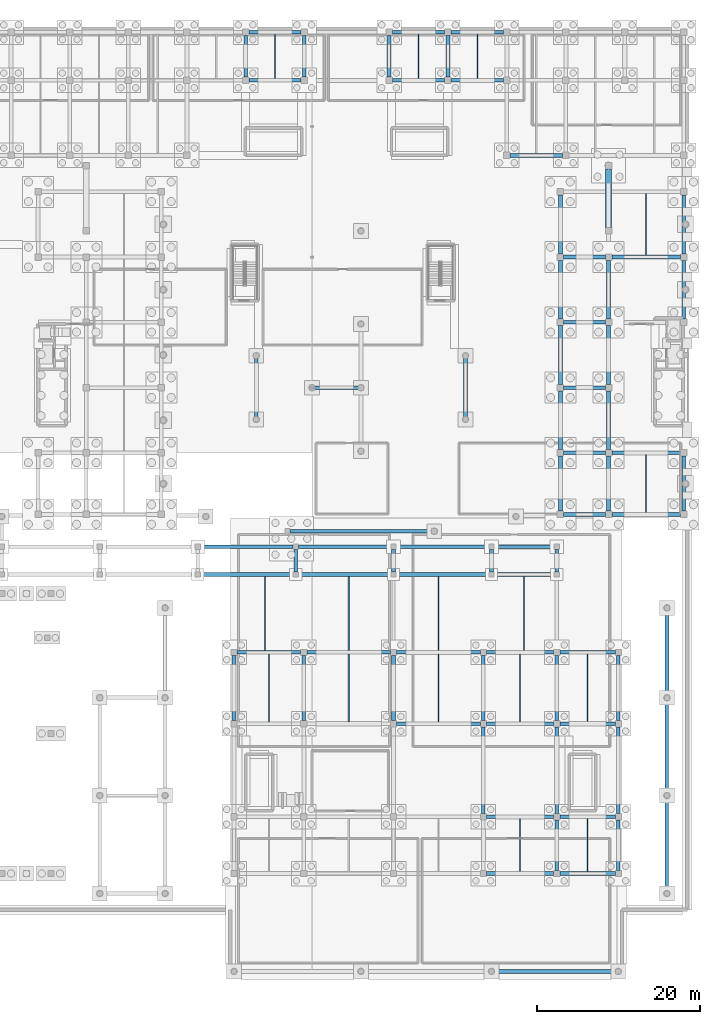
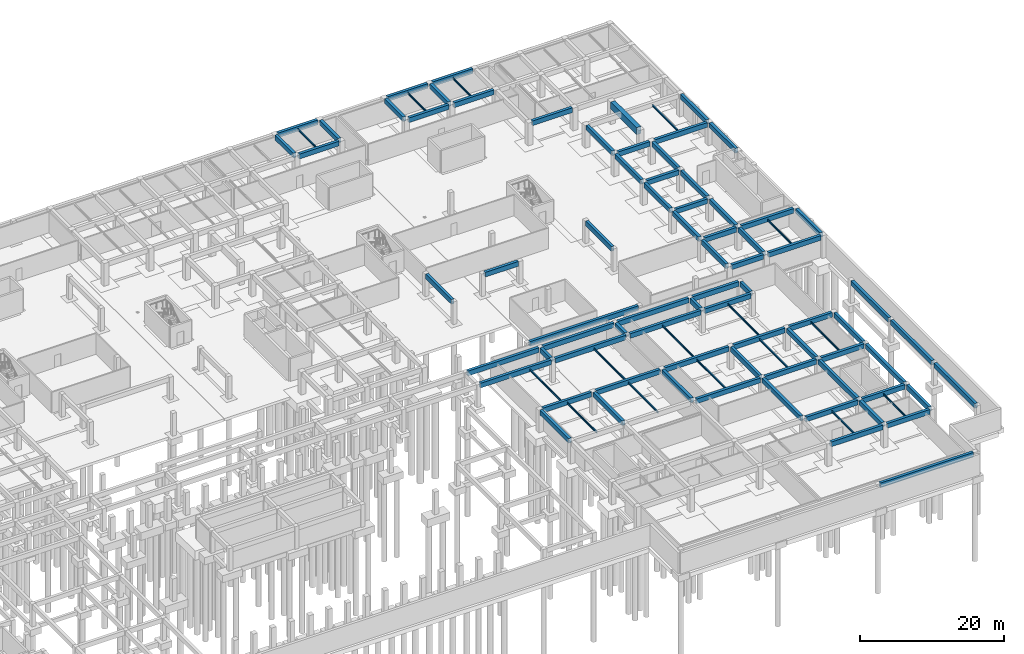
# One storey, part 17 of 35: 91 beams.
"""IFC4 building model written with IfcOpenShell, lengths in metres."""

from ifc_helpers import new_model, si_unit, direction, frame, origin, origin_2d, place, context, subcontext, project, spatial, rectangle, i_section, extrude, material, material_profile, profile_set, type_object, element, save


model = new_model("IFC4")

# Units and contexts
model_context = context("Model", 3, precision=1e-05, world=origin(), true_north=direction((0.0, 1.0)))
body_context = subcontext(model_context, "Body", "Model", "MODEL_VIEW")
ifc_project = project(units=[si_unit("LENGTHUNIT", "METRE"), si_unit("AREAUNIT", "SQUARE_METRE"), si_unit("VOLUMEUNIT", "CUBIC_METRE"), si_unit("PLANEANGLEUNIT", "RADIAN"), si_unit("MASSUNIT", "GRAM", prefix="KILO")], contexts=[model_context])

# Site, building, storey
site_placement = place(None, origin())
site = spatial("IfcSite", under=ifc_project, at=site_placement, CompositionType="ELEMENT")
building_placement = place(site_placement, origin())
building = spatial("IfcBuilding", under=site, at=building_placement, Name="Keldmere Railside Commons", CompositionType="ELEMENT")
storey_placement = place(building_placement, frame((0.0, 0.0, -3.840087890625)))
storey = spatial("IfcBuildingStorey", under=building, at=storey_placement, Name="B1", CompositionType="ELEMENT", Elevation=-3.840087890625)

# Beams
ifc_material_1 = material(Name="Concrete H-35 (C35/45)", Category="concrete")
ifc_material_profile_1 = material_profile(ifc_material_1, rectangle(XDim=0.449951171875, YDim=0.800048828125, at=origin_2d()), Name="RC-450x800")
ifc_profile_set_1 = profile_set([ifc_material_profile_1], Name="Concrete H-35 (C35/45)")
beam_type_1 = type_object("IfcBeamType", Name="Basement & Podium RC Girder 450x800", PredefinedType="BEAM", material=ifc_profile_set_1)
beam_1_placement = place(storey_placement, frame((160.324951171875, 0.449951171875, 3.440185546875), z_axis=(1.0, 0.0, 0.0), x_axis=(0.0, 1.0, 0.0)))
element("IfcBeam", 1, at=beam_1_placement, inside=storey, type_object=beam_type_1, Name="BG-1 BM-B1-0008", PredefinedType="BEAM", context=body_context, shape_type="SweptSolid", body=[
    extrude(rectangle(XDim=0.449951171875, YDim=0.800048828125, at=origin_2d()), origin(), (0.0, 0.0, 1.0), 14.900146484375),
])
beam_2_placement = place(storey_placement, frame((159.375, 12.449951171875, 3.440185546875), z_axis=(1.0, 0.0, 0.0), x_axis=(0.0, 1.0, 0.0)))
element("IfcBeam", 2, at=beam_2_placement, inside=storey, type_object=beam_type_1, Name="BG-1 BM-B1-0018", PredefinedType="BEAM", context=body_context, shape_type="SweptSolid", body=[
    extrude(rectangle(XDim=0.449951171875, YDim=0.800048828125, at=origin_2d()), origin(), (0.0, 0.0, 1.0), 8.25),
])
beam_3_placement = place(storey_placement, frame((168.375, 12.449951171875, 3.440185546875), z_axis=(1.0, 0.0, 0.0), x_axis=(0.0, 1.0, 0.0)))
element("IfcBeam", 3, at=beam_3_placement, inside=storey, type_object=beam_type_1, Name="BG-1 BM-B1-0019", PredefinedType="BEAM", context=body_context, shape_type="SweptSolid", body=[
    extrude(rectangle(XDim=0.449951171875, YDim=0.800048828125, at=origin_2d()), origin(), (0.0, 0.0, 1.0), 6.800048828125),
])
beam_4_placement = place(storey_placement, frame((159.375, 19.39990234375, 3.440185546875), z_axis=(1.0, 0.0, 0.0), x_axis=(0.0, 1.0, 0.0)))
element("IfcBeam", 4, at=beam_4_placement, inside=storey, type_object=beam_type_1, Name="BG-1 BM-B1-0027", PredefinedType="BEAM", context=body_context, shape_type="SweptSolid", body=[
    extrude(rectangle(XDim=0.449951171875, YDim=0.800048828125, at=origin_2d()), origin(), (0.0, 0.0, 1.0), 8.25),
])
beam_5_placement = place(storey_placement, frame((168.375, 19.39990234375, 3.440185546875), z_axis=(1.0, 0.0, 0.0), x_axis=(0.0, 1.0, 0.0)))
element("IfcBeam", 5, at=beam_5_placement, inside=storey, type_object=beam_type_1, Name="BG-1 BM-B1-0028", PredefinedType="BEAM", context=body_context, shape_type="SweptSolid", body=[
    extrude(rectangle(XDim=0.449951171875, YDim=0.800048828125, at=origin_2d()), origin(), (0.0, 0.0, 1.0), 6.800048828125),
])
beam_6_placement = place(storey_placement, frame((148.375, 30.800048828125, 3.440185546875), z_axis=(1.0, 0.0, 0.0), x_axis=(0.0, 1.0, 0.0)))
element("IfcBeam", 6, at=beam_6_placement, inside=storey, type_object=beam_type_1, Name="BG-1 BM-B1-0039", PredefinedType="BEAM", context=body_context, shape_type="SweptSolid", body=[
    extrude(rectangle(XDim=0.449951171875, YDim=0.800048828125, at=origin_2d()), origin(), (0.0, 0.0, 1.0), 10.25),
])
beam_7_placement = place(storey_placement, frame((159.375, 30.800048828125, 3.440185546875), z_axis=(1.0, 0.0, 0.0), x_axis=(0.0, 1.0, 0.0)))
element("IfcBeam", 7, at=beam_7_placement, inside=storey, type_object=beam_type_1, Name="BG-1 BM-B1-0040", PredefinedType="BEAM", context=body_context, shape_type="SweptSolid", body=[
    extrude(rectangle(XDim=0.449951171875, YDim=0.800048828125, at=origin_2d()), origin(), (0.0, 0.0, 1.0), 8.25),
])
beam_8_placement = place(storey_placement, frame((168.375, 30.800048828125, 3.440185546875), z_axis=(1.0, 0.0, 0.0), x_axis=(0.0, 1.0, 0.0)))
element("IfcBeam", 8, at=beam_8_placement, inside=storey, type_object=beam_type_1, Name="BG-1 BM-B1-0041", PredefinedType="BEAM", context=body_context, shape_type="SweptSolid", body=[
    extrude(rectangle(XDim=0.449951171875, YDim=0.800048828125, at=origin_2d()), origin(), (0.0, 0.0, 1.0), 6.800048828125),
])
beam_9_placement = place(storey_placement, frame((128.824951171875, 39.550048828125, 3.440185546875), z_axis=(1.0, 0.0, 0.0), x_axis=(0.0, 1.0, 0.0)))
element("IfcBeam", 9, at=beam_9_placement, inside=storey, type_object=beam_type_1, Name="BG-1 BM-B1-0057", PredefinedType="BEAM", context=body_context, shape_type="SweptSolid", body=[
    extrude(rectangle(XDim=0.449951171875, YDim=0.800048828125, at=origin_2d()), origin(), (0.0, 0.0, 1.0), 7.800048828125),
])
for number, where, z_axis, x_axis, name in (
    (10, (137.375, 39.550048828125, 3.440185546875), (1.0, 0.0, 0.0), (0.0, 1.0, 0.0), "BG-1 BM-B1-0058"),
    (11, (148.375, 39.550048828125, 3.440185546875), (1.0, 0.0, 0.0), (0.0, 1.0, 0.0), "BG-1 BM-B1-0059"),
):
    element("IfcBeam", number, at=place(storey_placement, frame(where, z_axis=z_axis, x_axis=x_axis)), inside=storey, type_object=beam_type_1, Name=name, PredefinedType="BEAM", context=body_context, shape_type="SweptSolid", body=[
        extrude(rectangle(XDim=0.449951171875, YDim=0.800048828125, at=origin_2d()), origin(), (0.0, 0.0, 1.0), 10.25),
    ])
beam_10_placement = place(storey_placement, frame((159.375, 39.550048828125, 3.440185546875), z_axis=(1.0, 0.0, 0.0), x_axis=(0.0, 1.0, 0.0)))
element("IfcBeam", 12, at=beam_10_placement, inside=storey, type_object=beam_type_1, Name="BG-1 BM-B1-0060", PredefinedType="BEAM", context=body_context, shape_type="SweptSolid", body=[
    extrude(rectangle(XDim=0.449951171875, YDim=0.800048828125, at=origin_2d()), origin(), (0.0, 0.0, 1.0), 8.25),
])
beam_11_placement = place(storey_placement, frame((168.375, 39.550048828125, 3.440185546875), z_axis=(1.0, 0.0, 0.0), x_axis=(0.0, 1.0, 0.0)))
element("IfcBeam", 13, at=beam_11_placement, inside=storey, type_object=beam_type_1, Name="BG-1 BM-B1-0061", PredefinedType="BEAM", context=body_context, shape_type="SweptSolid", body=[
    extrude(rectangle(XDim=0.449951171875, YDim=0.800048828125, at=origin_2d()), origin(), (0.0, 0.0, 1.0), 6.800048828125),
])
for number, where, z_axis, x_axis, name in (
    (14, (124.324951171875, 49.10009765625, 3.440185546875), (1.0, 0.0, 0.0), (0.0, 1.0, 0.0), "BG-1 BM-B1-0075"),
    (15, (136.324951171875, 49.10009765625, 3.440185546875), (1.0, 0.0, 0.0), (0.0, 1.0, 0.0), "BG-1 BM-B1-0076"),
    (16, (148.324951171875, 49.10009765625, 3.440185546875), (1.0, 0.0, 0.0), (0.0, 1.0, 0.0), "BG-1 BM-B1-0077"),
):
    element("IfcBeam", number, at=place(storey_placement, frame(where, z_axis=z_axis, x_axis=x_axis)), inside=storey, type_object=beam_type_1, Name=name, PredefinedType="BEAM", context=body_context, shape_type="SweptSolid", body=[
        extrude(rectangle(XDim=0.449951171875, YDim=0.800048828125, at=origin_2d()), origin(), (0.0, 0.0, 1.0), 11.35009765625),
    ])
beam_12_placement = place(storey_placement, frame((160.324951171875, 49.10009765625, 3.440185546875), z_axis=(1.0, 0.0, 0.0), x_axis=(0.0, 1.0, 0.0)))
element("IfcBeam", 17, at=beam_12_placement, inside=storey, type_object=beam_type_1, Name="BG-1 BM-B1-0078", PredefinedType="BEAM", context=body_context, shape_type="SweptSolid", body=[
    extrude(rectangle(XDim=0.449951171875, YDim=0.800048828125, at=origin_2d()), origin(), (0.0, 0.0, 1.0), 7.35009765625),
])
for number, where, z_axis, x_axis, name in (
    (18, (124.324951171875, 52.5, 3.440185546875), (1.0, 0.0, 0.0), (0.0, 1.0, 0.0), "BG-1 BM-B1-0088"),
    (19, (136.324951171875, 52.5, 3.440185546875), (1.0, 0.0, 0.0), (0.0, 1.0, 0.0), "BG-1 BM-B1-0089"),
    (20, (148.324951171875, 52.5, 3.440185546875), (1.0, 0.0, 0.0), (0.0, 1.0, 0.0), "BG-1 BM-B1-0090"),
):
    element("IfcBeam", number, at=place(storey_placement, frame(where, z_axis=z_axis, x_axis=x_axis)), inside=storey, type_object=beam_type_1, Name=name, PredefinedType="BEAM", context=body_context, shape_type="SweptSolid", body=[
        extrude(rectangle(XDim=0.449951171875, YDim=0.800048828125, at=origin_2d()), origin(), (0.0, 0.0, 1.0), 11.35009765625),
    ])
beam_13_placement = place(storey_placement, frame((160.324951171875, 52.5, 3.440185546875), z_axis=(1.0, 0.0, 0.0), x_axis=(0.0, 1.0, 0.0)))
element("IfcBeam", 21, at=beam_13_placement, inside=storey, type_object=beam_type_1, Name="BG-1 BM-B1-0091", PredefinedType="BEAM", context=body_context, shape_type="SweptSolid", body=[
    extrude(rectangle(XDim=0.449951171875, YDim=0.800048828125, at=origin_2d()), origin(), (0.0, 0.0, 1.0), 7.35009765625),
])
beam_14_placement = place(storey_placement, frame((135.324951171875, 54.39990234375, 3.440185546875), z_axis=(1.0, 0.0, 0.0), x_axis=(0.0, 1.0, 0.0)))
element("IfcBeam", 22, at=beam_14_placement, inside=storey, type_object=beam_type_1, Name="BG-1 BM-B1-0093", PredefinedType="BEAM", context=body_context, shape_type="SweptSolid", body=[
    extrude(rectangle(XDim=0.449951171875, YDim=0.800048828125, at=origin_2d()), origin(), (0.0, 0.0, 1.0), 17.35009765625),
])
beam_15_placement = place(storey_placement, frame((168.85009765625, 56.449951171875, 3.440185546875), z_axis=(1.0, 0.0, 0.0), x_axis=(0.0, 1.0, 0.0)))
element("IfcBeam", 23, at=beam_15_placement, inside=storey, type_object=beam_type_1, Name="BG-1 BM-B1-0101", PredefinedType="BEAM", context=body_context, shape_type="SweptSolid", body=[
    extrude(rectangle(XDim=0.449951171875, YDim=0.800048828125, at=origin_2d()), origin(), (0.0, 0.0, 1.0), 5.099853515625),
])
beam_16_placement = place(storey_placement, frame((174.75, 56.449951171875, 3.440185546875), z_axis=(1.0, 0.0, 0.0), x_axis=(0.0, 1.0, 0.0)))
element("IfcBeam", 24, at=beam_16_placement, inside=storey, type_object=beam_type_1, Name="BG-1 BM-B1-0102", PredefinedType="BEAM", context=body_context, shape_type="SweptSolid", body=[
    extrude(rectangle(XDim=0.449951171875, YDim=0.800048828125, at=origin_2d()), origin(), (0.0, 0.0, 1.0), 8.39990234375),
])
beam_17_placement = place(storey_placement, frame((168.85009765625, 64.0, 3.440185546875), z_axis=(1.0, 0.0, 0.0), x_axis=(0.0, 1.0, 0.0)))
element("IfcBeam", 25, at=beam_17_placement, inside=storey, type_object=beam_type_1, Name="BG-1 BM-B1-0109", PredefinedType="BEAM", context=body_context, shape_type="SweptSolid", body=[
    extrude(rectangle(XDim=0.449951171875, YDim=0.800048828125, at=origin_2d()), origin(), (0.0, 0.0, 1.0), 5.099853515625),
])
beam_18_placement = place(storey_placement, frame((174.75, 64.0, 3.440185546875), z_axis=(1.0, 0.0, 0.0), x_axis=(0.0, 1.0, 0.0)))
element("IfcBeam", 26, at=beam_18_placement, inside=storey, type_object=beam_type_1, Name="BG-1 BM-B1-0110", PredefinedType="BEAM", context=body_context, shape_type="SweptSolid", body=[
    extrude(rectangle(XDim=0.449951171875, YDim=0.800048828125, at=origin_2d()), origin(), (0.0, 0.0, 1.0), 8.39990234375),
])
beam_19_placement = place(storey_placement, frame((138.324951171875, 72.0, 3.440185546875), z_axis=(1.0, 0.0, 0.0), x_axis=(0.0, 1.0, 0.0)))
element("IfcBeam", 27, at=beam_19_placement, inside=storey, type_object=beam_type_1, Name="BG-1 BM-B1-0116", PredefinedType="BEAM", context=body_context, shape_type="SweptSolid", body=[
    extrude(rectangle(XDim=0.449951171875, YDim=0.800048828125, at=origin_2d()), origin(), (0.0, 0.0, 1.0), 5.35009765625),
])
for number, where, z_axis, x_axis, name in (
    (28, (168.85009765625, 72.0, 3.440185546875), (1.0, 0.0, 0.0), (0.0, 1.0, 0.0), "BG-1 BM-B1-0117"),
    (29, (168.85009765625, 80.0, 3.440185546875), (1.0, 0.0, 0.0), (0.0, 1.0, 0.0), "BG-1 BM-B1-0122"),
    (30, (168.85009765625, 88.0, 3.440185546875), (1.0, 0.0, 0.0), (0.0, 1.0, 0.0), "BG-1 BM-B1-0129"),
):
    element("IfcBeam", number, at=place(storey_placement, frame(where, z_axis=z_axis, x_axis=x_axis)), inside=storey, type_object=beam_type_1, Name=name, PredefinedType="BEAM", context=body_context, shape_type="SweptSolid", body=[
        extrude(rectangle(XDim=0.449951171875, YDim=0.800048828125, at=origin_2d()), origin(), (0.0, 0.0, 1.0), 5.099853515625),
    ])
beam_20_placement = place(storey_placement, frame((174.75, 88.0, 3.440185546875), z_axis=(1.0, 0.0, 0.0), x_axis=(0.0, 1.0, 0.0)))
element("IfcBeam", 31, at=beam_20_placement, inside=storey, type_object=beam_type_1, Name="BG-1 BM-B1-0130", PredefinedType="BEAM", context=body_context, shape_type="SweptSolid", body=[
    extrude(rectangle(XDim=0.449951171875, YDim=0.800048828125, at=origin_2d()), origin(), (0.0, 0.0, 1.0), 8.39990234375),
])
beam_21_placement = place(storey_placement, frame((162.2900390625, 100.449951171875, 3.440185546875), z_axis=(1.0, 0.0, 0.0), x_axis=(0.0, 1.0, 0.0)))
element("IfcBeam", 32, at=beam_21_placement, inside=storey, type_object=beam_type_1, Name="BG-1 BM-B1-0143", PredefinedType="BEAM", context=body_context, shape_type="SweptSolid", body=[
    extrude(rectangle(XDim=0.449951171875, YDim=0.800048828125, at=origin_2d()), origin(), (0.0, 0.0, 1.0), 6.419921875),
])
beam_22_placement = place(storey_placement, frame((130.26708984375, 109.64990234375, 3.440185546875), z_axis=(1.0, 0.0, 0.0), x_axis=(0.0, 1.0, 0.0)))
element("IfcBeam", 33, at=beam_22_placement, inside=storey, type_object=beam_type_1, Name="BG-1 BM-B1-0158", PredefinedType="BEAM", context=body_context, shape_type="SweptSolid", body=[
    extrude(rectangle(XDim=0.449951171875, YDim=0.800048828125, at=origin_2d()), origin(), (0.0, 0.0, 1.0), 6.3828125),
])
for number, where, z_axis, x_axis, name in (
    (34, (147.85009765625, 109.64990234375, 3.440185546875), (1.0, 0.0, 0.0), (0.0, 1.0, 0.0), "BG-1 BM-B1-0159"),
    (35, (155.070068359375, 109.64990234375, 3.440185546875), (1.0, 0.0, 0.0), (0.0, 1.0, 0.0), "BG-1 BM-B1-0160"),
):
    element("IfcBeam", number, at=place(storey_placement, frame(where, z_axis=z_axis, x_axis=x_axis)), inside=storey, type_object=beam_type_1, Name=name, PredefinedType="BEAM", context=body_context, shape_type="SweptSolid", body=[
        extrude(rectangle(XDim=0.449951171875, YDim=0.800048828125, at=origin_2d()), origin(), (0.0, 0.0, 1.0), 6.419921875),
    ])
beam_23_placement = place(storey_placement, frame((130.26708984375, 115.550048828125, 3.440185546875), z_axis=(1.0, 0.0, 0.0), x_axis=(0.0, 1.0, 0.0)))
element("IfcBeam", 36, at=beam_23_placement, inside=storey, type_object=beam_type_1, Name="BG-1 BM-B1-0176", PredefinedType="BEAM", context=body_context, shape_type="SweptSolid", body=[
    extrude(rectangle(XDim=0.449951171875, YDim=0.800048828125, at=origin_2d()), origin(), (0.0, 0.0, 1.0), 6.3828125),
])
for number, where, z_axis, x_axis, name in (
    (37, (147.85009765625, 115.550048828125, 3.440185546875), (1.0, 0.0, 0.0), (0.0, 1.0, 0.0), "BG-1 BM-B1-0177"),
    (38, (155.070068359375, 115.550048828125, 3.440185546875), (1.0, 0.0, 0.0), (0.0, 1.0, 0.0), "BG-1 BM-B1-0178"),
):
    element("IfcBeam", number, at=place(storey_placement, frame(where, z_axis=z_axis, x_axis=x_axis)), inside=storey, type_object=beam_type_1, Name=name, PredefinedType="BEAM", context=body_context, shape_type="SweptSolid", body=[
        extrude(rectangle(XDim=0.449951171875, YDim=0.800048828125, at=origin_2d()), origin(), (0.0, 0.0, 1.0), 6.419921875),
    ])
beam_24_placement = place(storey_placement, frame((128.449951171875, 31.175048828125, 3.440185546875), z_axis=(0.0, 1.0, 0.0), x_axis=(-1.0, 0.0, 0.0)))
element("IfcBeam", 39, at=beam_24_placement, inside=storey, type_object=beam_type_1, Name="BG-1 BM-B1-0297", PredefinedType="BEAM", context=body_context, shape_type="SweptSolid", body=[
    extrude(rectangle(XDim=0.449951171875, YDim=0.800048828125, at=origin_2d()), origin(), (0.0, 0.0, 1.0), 8.0),
])
beam_25_placement = place(storey_placement, frame((129.866943359375, 110.050048828125, 3.440185546875), z_axis=(0.0, 1.0, 0.0), x_axis=(-1.0, 0.0, 0.0)))
element("IfcBeam", 40, at=beam_25_placement, inside=storey, type_object=beam_type_1, Name="BG-1 BM-B1-0298", PredefinedType="BEAM", context=body_context, shape_type="SweptSolid", body=[
    extrude(rectangle(XDim=0.449951171875, YDim=0.800048828125, at=origin_2d()), origin(), (0.0, 0.0, 1.0), 5.099853515625),
])
beam_26_placement = place(storey_placement, frame((131.18310546875, 68.425048828125, 3.440185546875), z_axis=(0.0, 1.0, 0.0), x_axis=(-1.0, 0.0, 0.0)))
element("IfcBeam", 41, at=beam_26_placement, inside=storey, type_object=beam_type_1, Name="BG-1 BM-B1-0299", PredefinedType="BEAM", context=body_context, shape_type="SweptSolid", body=[
    extrude(rectangle(XDim=0.449951171875, YDim=0.800048828125, at=origin_2d()), origin(), (0.0, 0.0, 1.0), 7.14990234375),
])
beam_27_placement = place(storey_placement, frame((136.0, 49.425048828125, 3.440185546875), z_axis=(0.0, 1.0, 0.0), x_axis=(-1.0, 0.0, 0.0)))
element("IfcBeam", 42, at=beam_27_placement, inside=storey, type_object=beam_type_1, Name="BG-1 BM-B1-0300", PredefinedType="BEAM", context=body_context, shape_type="SweptSolid", body=[
    extrude(rectangle(XDim=0.449951171875, YDim=0.800048828125, at=origin_2d()), origin(), (0.0, 0.0, 1.0), 2.75),
])
beam_28_placement = place(storey_placement, frame((137.0, 31.175048828125, 3.440185546875), z_axis=(0.0, 1.0, 0.0), x_axis=(-1.0, 0.0, 0.0)))
element("IfcBeam", 43, at=beam_28_placement, inside=storey, type_object=beam_type_1, Name="BG-1 BM-B1-0303", PredefinedType="BEAM", context=body_context, shape_type="SweptSolid", body=[
    extrude(rectangle(XDim=0.449951171875, YDim=0.800048828125, at=origin_2d()), origin(), (0.0, 0.0, 1.0), 8.0),
])
for number, where, z_axis, x_axis, name in (
    (44, (137.050048828125, 110.050048828125, 3.440185546875), (0.0, 1.0, 0.0), (-1.0, 0.0, 0.0), "BG-1 BM-B1-0304"),
    (45, (147.449951171875, 110.050048828125, 3.440185546875), (0.0, 1.0, 0.0), (-1.0, 0.0, 0.0), "BG-1 BM-B1-0305"),
):
    element("IfcBeam", number, at=place(storey_placement, frame(where, z_axis=z_axis, x_axis=x_axis)), inside=storey, type_object=beam_type_1, Name=name, PredefinedType="BEAM", context=body_context, shape_type="SweptSolid", body=[
        extrude(rectangle(XDim=0.449951171875, YDim=0.800048828125, at=origin_2d()), origin(), (0.0, 0.0, 1.0), 5.099853515625),
    ])
beam_29_placement = place(storey_placement, frame((148.0, 31.175048828125, 3.440185546875), z_axis=(0.0, 1.0, 0.0), x_axis=(-1.0, 0.0, 0.0)))
element("IfcBeam", 46, at=beam_29_placement, inside=storey, type_object=beam_type_1, Name="BG-1 BM-B1-0308", PredefinedType="BEAM", context=body_context, shape_type="SweptSolid", body=[
    extrude(rectangle(XDim=0.449951171875, YDim=0.800048828125, at=origin_2d()), origin(), (0.0, 0.0, 1.0), 8.0),
])
beam_30_placement = place(storey_placement, frame((148.0, 49.425048828125, 3.440185546875), z_axis=(0.0, 1.0, 0.0), x_axis=(-1.0, 0.0, 0.0)))
element("IfcBeam", 47, at=beam_30_placement, inside=storey, type_object=beam_type_1, Name="BG-1 BM-B1-0309", PredefinedType="BEAM", context=body_context, shape_type="SweptSolid", body=[
    extrude(rectangle(XDim=0.449951171875, YDim=0.800048828125, at=origin_2d()), origin(), (0.0, 0.0, 1.0), 2.75),
])
beam_31_placement = place(storey_placement, frame((154.669921875, 110.050048828125, 3.440185546875), z_axis=(0.0, 1.0, 0.0), x_axis=(-1.0, 0.0, 0.0)))
element("IfcBeam", 48, at=beam_31_placement, inside=storey, type_object=beam_type_1, Name="BG-1 BM-B1-0310", PredefinedType="BEAM", context=body_context, shape_type="SweptSolid", body=[
    extrude(rectangle(XDim=0.449951171875, YDim=0.800048828125, at=origin_2d()), origin(), (0.0, 0.0, 1.0), 5.099853515625),
])
beam_32_placement = place(storey_placement, frame((156.81689453125, 68.425048828125, 3.440185546875), z_axis=(0.0, 1.0, 0.0), x_axis=(-1.0, 0.0, 0.0)))
element("IfcBeam", 49, at=beam_32_placement, inside=storey, type_object=beam_type_1, Name="BG-1 BM-B1-0311", PredefinedType="BEAM", context=body_context, shape_type="SweptSolid", body=[
    extrude(rectangle(XDim=0.449951171875, YDim=0.800048828125, at=origin_2d()), origin(), (0.0, 0.0, 1.0), 7.14990234375),
])
beam_33_placement = place(storey_placement, frame((159.0, 19.77490234375, 3.440185546875), z_axis=(0.0, 1.0, 0.0), x_axis=(-1.0, 0.0, 0.0)))
element("IfcBeam", 50, at=beam_33_placement, inside=storey, type_object=beam_type_1, Name="BG-1 BM-B1-0313", PredefinedType="BEAM", context=body_context, shape_type="SweptSolid", body=[
    extrude(rectangle(XDim=0.449951171875, YDim=0.800048828125, at=origin_2d()), origin(), (0.0, 0.0, 1.0), 10.650146484375),
])
beam_34_placement = place(storey_placement, frame((159.0, 31.175048828125, 3.440185546875), z_axis=(0.0, 1.0, 0.0), x_axis=(-1.0, 0.0, 0.0)))
element("IfcBeam", 51, at=beam_34_placement, inside=storey, type_object=beam_type_1, Name="BG-1 BM-B1-0314", PredefinedType="BEAM", context=body_context, shape_type="SweptSolid", body=[
    extrude(rectangle(XDim=0.449951171875, YDim=0.800048828125, at=origin_2d()), origin(), (0.0, 0.0, 1.0), 8.0),
])
beam_35_placement = place(storey_placement, frame((160.0, 49.425048828125, 3.440185546875), z_axis=(0.0, 1.0, 0.0), x_axis=(-1.0, 0.0, 0.0)))
element("IfcBeam", 52, at=beam_35_placement, inside=storey, type_object=beam_type_1, Name="BG-1 BM-B1-0315", PredefinedType="BEAM", context=body_context, shape_type="SweptSolid", body=[
    extrude(rectangle(XDim=0.449951171875, YDim=0.800048828125, at=origin_2d()), origin(), (0.0, 0.0, 1.0), 2.75),
])
beam_36_placement = place(storey_placement, frame((168.0, 12.824951171875, 3.440185546875), z_axis=(0.0, 1.0, 0.0), x_axis=(-1.0, 0.0, 0.0)))
element("IfcBeam", 53, at=beam_36_placement, inside=storey, type_object=beam_type_1, Name="BG-1 BM-B1-0318", PredefinedType="BEAM", context=body_context, shape_type="SweptSolid", body=[
    extrude(rectangle(XDim=0.449951171875, YDim=0.800048828125, at=origin_2d()), origin(), (0.0, 0.0, 1.0), 6.199951171875),
])
beam_37_placement = place(storey_placement, frame((168.0, 19.77490234375, 3.440185546875), z_axis=(0.0, 1.0, 0.0), x_axis=(-1.0, 0.0, 0.0)))
element("IfcBeam", 54, at=beam_37_placement, inside=storey, type_object=beam_type_1, Name="BG-1 BM-B1-0319", PredefinedType="BEAM", context=body_context, shape_type="SweptSolid", body=[
    extrude(rectangle(XDim=0.449951171875, YDim=0.800048828125, at=origin_2d()), origin(), (0.0, 0.0, 1.0), 10.650146484375),
])
beam_38_placement = place(storey_placement, frame((168.0, 31.175048828125, 3.440185546875), z_axis=(0.0, 1.0, 0.0), x_axis=(-1.0, 0.0, 0.0)))
element("IfcBeam", 55, at=beam_38_placement, inside=storey, type_object=beam_type_1, Name="BG-1 BM-B1-0320", PredefinedType="BEAM", context=body_context, shape_type="SweptSolid", body=[
    extrude(rectangle(XDim=0.449951171875, YDim=0.800048828125, at=origin_2d()), origin(), (0.0, 0.0, 1.0), 8.0),
])
beam_39_placement = place(storey_placement, frame((168.0, 49.425048828125, 3.440185546875), z_axis=(0.0, 1.0, 0.0), x_axis=(-1.0, 0.0, 0.0)))
element("IfcBeam", 56, at=beam_39_placement, inside=storey, type_object=beam_type_1, Name="BG-1 BM-B1-0321", PredefinedType="BEAM", context=body_context, shape_type="SweptSolid", body=[
    extrude(rectangle(XDim=0.449951171875, YDim=0.800048828125, at=origin_2d()), origin(), (0.0, 0.0, 1.0), 2.75),
])
beam_40_placement = place(storey_placement, frame((168.449951171875, 56.85009765625, 3.440185546875), z_axis=(0.0, 1.0, 0.0), x_axis=(-1.0, 0.0, 0.0)))
element("IfcBeam", 57, at=beam_40_placement, inside=storey, type_object=beam_type_1, Name="BG-1 BM-B1-0322", PredefinedType="BEAM", context=body_context, shape_type="SweptSolid", body=[
    extrude(rectangle(XDim=0.449951171875, YDim=0.800048828125, at=origin_2d()), origin(), (0.0, 0.0, 1.0), 6.75),
])
for number, where, z_axis, x_axis, name in (
    (58, (168.449951171875, 64.39990234375, 3.440185546875), (0.0, 1.0, 0.0), (-1.0, 0.0, 0.0), "BG-1 BM-B1-0323"),
    (59, (168.449951171875, 72.39990234375, 3.440185546875), (0.0, 1.0, 0.0), (-1.0, 0.0, 0.0), "BG-1 BM-B1-0324"),
    (60, (168.449951171875, 80.39990234375, 3.440185546875), (0.0, 1.0, 0.0), (-1.0, 0.0, 0.0), "BG-1 BM-B1-0325"),
    (61, (168.449951171875, 88.39990234375, 3.440185546875), (0.0, 1.0, 0.0), (-1.0, 0.0, 0.0), "BG-1 BM-B1-0326"),
):
    element("IfcBeam", number, at=place(storey_placement, frame(where, z_axis=z_axis, x_axis=x_axis)), inside=storey, type_object=beam_type_1, Name=name, PredefinedType="BEAM", context=body_context, shape_type="SweptSolid", body=[
        extrude(rectangle(XDim=0.449951171875, YDim=0.800048828125, at=origin_2d()), origin(), (0.0, 0.0, 1.0), 7.2001953125),
    ])
beam_41_placement = place(storey_placement, frame((174.35009765625, 56.85009765625, 3.440185546875), z_axis=(0.0, 1.0, 0.0), x_axis=(-1.0, 0.0, 0.0)))
element("IfcBeam", 62, at=beam_41_placement, inside=storey, type_object=beam_type_1, Name="BG-1 BM-B1-0329", PredefinedType="BEAM", context=body_context, shape_type="SweptSolid", body=[
    extrude(rectangle(XDim=0.449951171875, YDim=0.800048828125, at=origin_2d()), origin(), (0.0, 0.0, 1.0), 6.75),
])
for number, where, z_axis, x_axis, name in (
    (63, (174.35009765625, 64.39990234375, 3.440185546875), (0.0, 1.0, 0.0), (-1.0, 0.0, 0.0), "BG-1 BM-B1-0330"),
    (64, (174.35009765625, 72.39990234375, 3.440185546875), (0.0, 1.0, 0.0), (-1.0, 0.0, 0.0), "BG-1 BM-B1-0331"),
    (65, (174.35009765625, 80.39990234375, 3.440185546875), (0.0, 1.0, 0.0), (-1.0, 0.0, 0.0), "BG-1 BM-B1-0332"),
):
    element("IfcBeam", number, at=place(storey_placement, frame(where, z_axis=z_axis, x_axis=x_axis)), inside=storey, type_object=beam_type_1, Name=name, PredefinedType="BEAM", context=body_context, shape_type="SweptSolid", body=[
        extrude(rectangle(XDim=0.449951171875, YDim=0.800048828125, at=origin_2d()), origin(), (0.0, 0.0, 1.0), 7.2001953125),
    ])
beam_42_placement = place(storey_placement, frame((175.550048828125, 12.824951171875, 3.440185546875), z_axis=(0.0, 1.0, 0.0), x_axis=(-1.0, 0.0, 0.0)))
element("IfcBeam", 66, at=beam_42_placement, inside=storey, type_object=beam_type_1, Name="BG-1 BM-B1-0333", PredefinedType="BEAM", context=body_context, shape_type="SweptSolid", body=[
    extrude(rectangle(XDim=0.449951171875, YDim=0.800048828125, at=origin_2d()), origin(), (0.0, 0.0, 1.0), 6.199951171875),
])
beam_43_placement = place(storey_placement, frame((175.550048828125, 19.77490234375, 3.440185546875), z_axis=(0.0, 1.0, 0.0), x_axis=(-1.0, 0.0, 0.0)))
element("IfcBeam", 67, at=beam_43_placement, inside=storey, type_object=beam_type_1, Name="BG-1 BM-B1-0334", PredefinedType="BEAM", context=body_context, shape_type="SweptSolid", body=[
    extrude(rectangle(XDim=0.449951171875, YDim=0.800048828125, at=origin_2d()), origin(), (0.0, 0.0, 1.0), 10.650146484375),
])
beam_44_placement = place(storey_placement, frame((175.550048828125, 31.175048828125, 3.440185546875), z_axis=(0.0, 1.0, 0.0), x_axis=(-1.0, 0.0, 0.0)))
element("IfcBeam", 68, at=beam_44_placement, inside=storey, type_object=beam_type_1, Name="BG-1 BM-B1-0335", PredefinedType="BEAM", context=body_context, shape_type="SweptSolid", body=[
    extrude(rectangle(XDim=0.449951171875, YDim=0.800048828125, at=origin_2d()), origin(), (0.0, 0.0, 1.0), 8.0),
])
for number, where, z_axis, x_axis, name in (
    (69, (181.5, 10.324951171875, 3.440185546875), (0.0, 1.0, 0.0), (-1.0, 0.0, 0.0), "BG-1 BM-B1-0337"),
    (70, (181.5, 22.324951171875, 3.440185546875), (0.0, 1.0, 0.0), (-1.0, 0.0, 0.0), "BG-1 BM-B1-0338"),
):
    element("IfcBeam", number, at=place(storey_placement, frame(where, z_axis=z_axis, x_axis=x_axis)), inside=storey, type_object=beam_type_1, Name=name, PredefinedType="BEAM", context=body_context, shape_type="SweptSolid", body=[
        extrude(rectangle(XDim=0.449951171875, YDim=0.800048828125, at=origin_2d()), origin(), (0.0, 0.0, 1.0), 11.35009765625),
    ])
beam_45_placement = place(storey_placement, frame((181.5, 34.324951171875, 3.440185546875), z_axis=(0.0, 1.0, 0.0), x_axis=(-1.0, 0.0, 0.0)))
element("IfcBeam", 71, at=beam_45_placement, inside=storey, type_object=beam_type_1, Name="BG-1 BM-B1-0339", PredefinedType="BEAM", context=body_context, shape_type="SweptSolid", body=[
    extrude(rectangle(XDim=0.449951171875, YDim=0.800048828125, at=origin_2d()), origin(), (0.0, 0.0, 1.0), 10.35009765625),
])
beam_46_placement = place(storey_placement, frame((183.550048828125, 56.85009765625, 3.440185546875), z_axis=(0.0, 1.0, 0.0), x_axis=(-1.0, 0.0, 0.0)))
element("IfcBeam", 72, at=beam_46_placement, inside=storey, type_object=beam_type_1, Name="BG-1 BM-B1-0340", PredefinedType="BEAM", context=body_context, shape_type="SweptSolid", body=[
    extrude(rectangle(XDim=0.449951171875, YDim=0.800048828125, at=origin_2d()), origin(), (0.0, 0.0, 1.0), 6.75),
])
for number, where, z_axis, x_axis, name in (
    (73, (183.550048828125, 80.39990234375, 3.440185546875), (0.0, 1.0, 0.0), (-1.0, 0.0, 0.0), "BG-1 BM-B1-0341"),
    (74, (183.550048828125, 88.39990234375, 3.440185546875), (0.0, 1.0, 0.0), (-1.0, 0.0, 0.0), "BG-1 BM-B1-0342"),
):
    element("IfcBeam", number, at=place(storey_placement, frame(where, z_axis=z_axis, x_axis=x_axis)), inside=storey, type_object=beam_type_1, Name=name, PredefinedType="BEAM", context=body_context, shape_type="SweptSolid", body=[
        extrude(rectangle(XDim=0.449951171875, YDim=0.800048828125, at=origin_2d()), origin(), (0.0, 0.0, 1.0), 7.2001953125),
    ])
ifc_material_2 = material(Name="Concrete H-40 (C40/50)", Category="concrete")
ifc_material_profile_2 = material_profile(ifc_material_2, rectangle(XDim=0.699951171875, YDim=1.199951171875, at=origin_2d()), Name="RC-700x1200")
ifc_profile_set_2 = profile_set([ifc_material_profile_2], Name="Concrete H-40 (C40/50)")
beam_type_2 = type_object("IfcBeamType", Name="Heavy Aisle Transfer Girder 700x1200", PredefinedType="BEAM", material=ifc_profile_set_2)
beam_47_placement = place(storey_placement, frame((174.35009765625, 91.60009765625, 3.239990234375), z_axis=(0.0, 1.0, 0.0), x_axis=(-1.0, 0.0, 0.0)))
element("IfcBeam", 75, at=beam_47_placement, inside=storey, type_object=beam_type_2, Name="TG-2 BM-B1-0004", PredefinedType="BEAM", context=body_context, shape_type="SweptSolid", body=[
    extrude(rectangle(XDim=0.699951171875, YDim=1.199951171875, at=origin_2d()), origin(), (0.0, 0.0, 1.0), 7.199951171875),
])
ifc_material_3 = material(Name="Steel F-36 (S355)", Category="steel")
ifc_material_profile_3 = material_profile(ifc_material_3, i_section(OverallWidth=0.14990234375, OverallDepth=0.300048828125, WebThickness=0.007080078125, FlangeThickness=0.0107421875, at=origin_2d()), Name="IPE-300")
ifc_profile_set_3 = profile_set([ifc_material_profile_3], Name="Steel F-36 (S355)")
beam_type_3 = type_object("IfcBeamType", Name="Podium & Arcade Steel Joist IPE300", PredefinedType="JOIST", material=ifc_profile_set_3)
for number, where, z_axis, x_axis, name in (
    (76, (163.5, 12.675048828125, 3.3701171875), (0.0, 1.0, 0.0), (-1.0, 0.0, 0.0), "JST-1 BM-B1-0352"),
    (77, (171.77490234375, 12.675048828125, 3.3701171875), (0.0, 1.0, 0.0), (-1.0, 0.0, 0.0), "JST-1 BM-B1-0353"),
):
    element("IfcBeam", number, at=place(storey_placement, frame(where, z_axis=z_axis, x_axis=x_axis)), inside=storey, type_object=beam_type_3, Name=name, PredefinedType="JOIST", context=body_context, shape_type="SweptSolid", body=[
        extrude(i_section(OverallWidth=0.14990234375, OverallDepth=0.300048828125, WebThickness=0.007080078125, FlangeThickness=0.0107421875, at=origin_2d()), origin(), (0.0, 0.0, 1.0), 6.5),
    ])
for number, where, z_axis, x_axis, name in (
    (78, (132.72509765625, 31.02490234375, 3.3701171875), (0.0, 1.0, 0.0), (-1.0, 0.0, 0.0), "JST-1 BM-B1-0359"),
    (79, (142.5, 31.02490234375, 3.3701171875), (0.0, 1.0, 0.0), (-1.0, 0.0, 0.0), "JST-1 BM-B1-0360"),
    (80, (153.5, 31.02490234375, 3.3701171875), (0.0, 1.0, 0.0), (-1.0, 0.0, 0.0), "JST-1 BM-B1-0361"),
    (81, (163.5, 31.02490234375, 3.3701171875), (0.0, 1.0, 0.0), (-1.0, 0.0, 0.0), "JST-1 BM-B1-0362"),
    (82, (171.77490234375, 31.02490234375, 3.3701171875), (0.0, 1.0, 0.0), (-1.0, 0.0, 0.0), "JST-1 BM-B1-0363"),
):
    element("IfcBeam", number, at=place(storey_placement, frame(where, z_axis=z_axis, x_axis=x_axis)), inside=storey, type_object=beam_type_3, Name=name, PredefinedType="JOIST", context=body_context, shape_type="SweptSolid", body=[
        extrude(i_section(OverallWidth=0.14990234375, OverallDepth=0.300048828125, WebThickness=0.007080078125, FlangeThickness=0.0107421875, at=origin_2d()), origin(), (0.0, 0.0, 1.0), 8.300048828125),
    ])
for number, where, z_axis, x_axis, name in (
    (83, (132.25, 39.77490234375, 3.3701171875), (0.0, 1.0, 0.0), (-1.0, 0.0, 0.0), "JST-1 BM-B1-0370"),
    (84, (142.5, 39.77490234375, 3.3701171875), (0.0, 1.0, 0.0), (-1.0, 0.0, 0.0), "JST-1 BM-B1-0371"),
    (85, (153.5, 39.77490234375, 3.3701171875), (0.0, 1.0, 0.0), (-1.0, 0.0, 0.0), "JST-1 BM-B1-0372"),
    (86, (163.97509765625, 39.77490234375, 3.3701171875), (0.0, 1.0, 0.0), (-1.0, 0.0, 0.0), "JST-1 BM-B1-0373"),
):
    element("IfcBeam", number, at=place(storey_placement, frame(where, z_axis=z_axis, x_axis=x_axis)), inside=storey, type_object=beam_type_3, Name=name, PredefinedType="JOIST", context=body_context, shape_type="SweptSolid", body=[
        extrude(i_section(OverallWidth=0.14990234375, OverallDepth=0.300048828125, WebThickness=0.007080078125, FlangeThickness=0.0107421875, at=origin_2d()), origin(), (0.0, 0.0, 1.0), 9.10009765625),
    ])
beam_48_placement = place(storey_placement, frame((178.949951171875, 56.675048828125, 3.3701171875), z_axis=(0.0, 1.0, 0.0), x_axis=(-1.0, 0.0, 0.0)))
element("IfcBeam", 87, at=beam_48_placement, inside=storey, type_object=beam_type_3, Name="JST-1 BM-B1-0377", PredefinedType="JOIST", context=body_context, shape_type="SweptSolid", body=[
    extrude(i_section(OverallWidth=0.14990234375, OverallDepth=0.300048828125, WebThickness=0.007080078125, FlangeThickness=0.0107421875, at=origin_2d()), origin(), (0.0, 0.0, 1.0), 7.099853515625),
])
beam_49_placement = place(storey_placement, frame((178.949951171875, 88.22509765625, 3.3701171875), z_axis=(0.0, 1.0, 0.0), x_axis=(-1.0, 0.0, 0.0)))
element("IfcBeam", 88, at=beam_49_placement, inside=storey, type_object=beam_type_3, Name="JST-1 BM-B1-0391", PredefinedType="JOIST", context=body_context, shape_type="SweptSolid", body=[
    extrude(i_section(OverallWidth=0.14990234375, OverallDepth=0.300048828125, WebThickness=0.007080078125, FlangeThickness=0.0107421875, at=origin_2d()), origin(), (0.0, 0.0, 1.0), 7.5498046875),
])
for number, where, z_axis, x_axis, name in (
    (89, (133.458984375, 109.875, 3.3701171875), (0.0, 1.0, 0.0), (-1.0, 0.0, 0.0), "JST-1 BM-B1-0417"),
    (90, (151.06005859375, 109.875, 3.3701171875), (0.0, 1.0, 0.0), (-1.0, 0.0, 0.0), "JST-1 BM-B1-0418"),
    (91, (158.280029296875, 109.875, 3.3701171875), (0.0, 1.0, 0.0), (-1.0, 0.0, 0.0), "JST-1 BM-B1-0419"),
):
    element("IfcBeam", number, at=place(storey_placement, frame(where, z_axis=z_axis, x_axis=x_axis)), inside=storey, type_object=beam_type_3, Name=name, PredefinedType="JOIST", context=body_context, shape_type="SweptSolid", body=[
        extrude(i_section(OverallWidth=0.14990234375, OverallDepth=0.300048828125, WebThickness=0.007080078125, FlangeThickness=0.0107421875, at=origin_2d()), origin(), (0.0, 0.0, 1.0), 5.449951171875),
    ])

save(model, "model.ifc")
